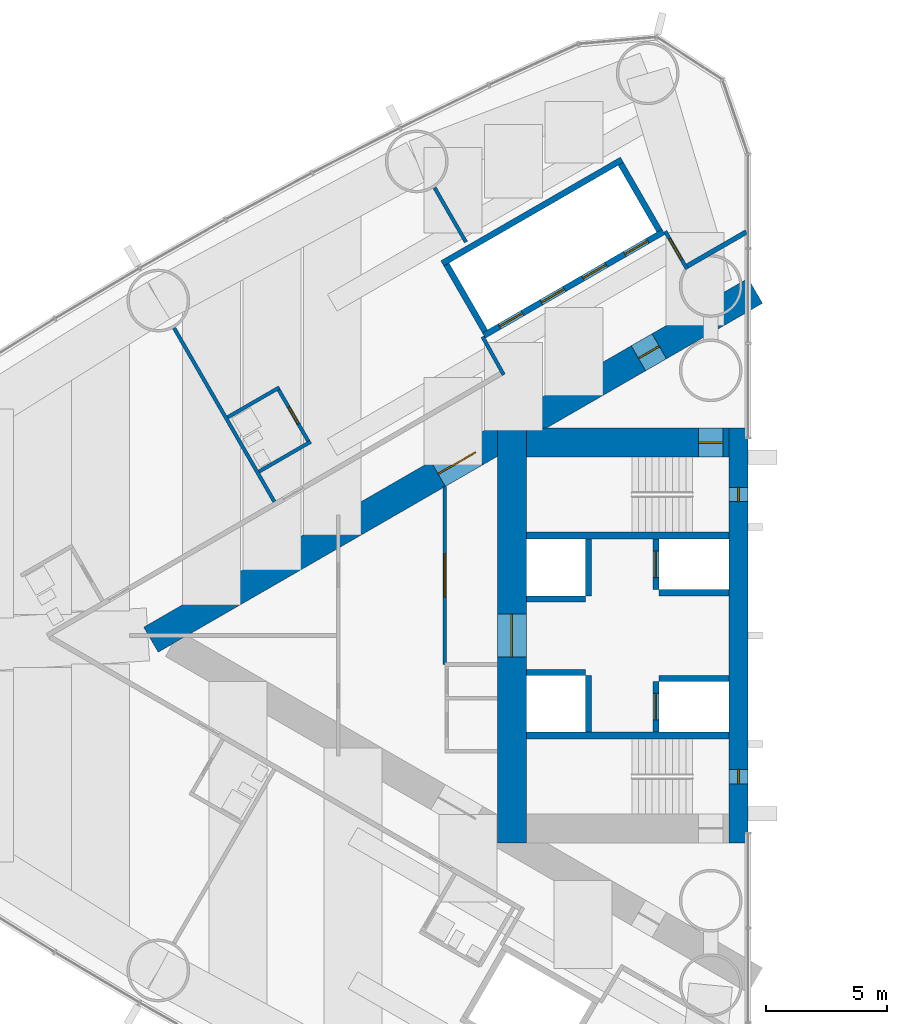
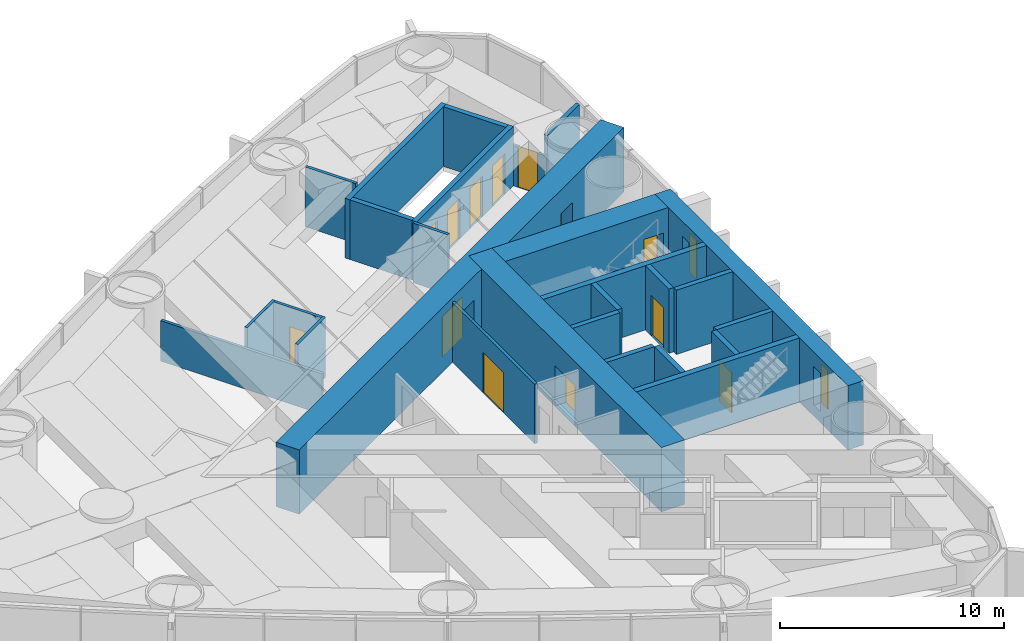
# One storey, part 12 of 18: 27 walls, 13 doors, 2 windows, 15 openings.
"""IFC4 building model written with IfcOpenShell, lengths in metres."""

from ifc_helpers import new_model, si_unit, direction, frame, frame_2d, origin, place, context, subcontext, project, spatial, rectangle, extrude, material, layer, layer_set, type_object, element, fill, save


model = new_model("IFC4")

# Units and contexts
model_context = context("Model", 3, precision=1e-05, world=origin(), true_north=direction((0.0, 1.0)))
body_context = subcontext(model_context, "Body", "Model", "MODEL_VIEW")
ifc_project = project(units=[si_unit("LENGTHUNIT", "METRE"), si_unit("AREAUNIT", "SQUARE_METRE"), si_unit("VOLUMEUNIT", "CUBIC_METRE"), si_unit("PLANEANGLEUNIT", "RADIAN"), si_unit("MASSUNIT", "GRAM", prefix="KILO")], contexts=[model_context])

# Site, building, storey
site_placement = place(None, origin())
site = spatial("IfcSite", under=ifc_project, at=site_placement, CompositionType="ELEMENT")
building_placement = place(site_placement, origin())
building = spatial("IfcBuilding", under=site, at=building_placement, Name="Lancet Gate Hotel", CompositionType="ELEMENT")
storey_placement = place(building_placement, frame((0.0, 0.0, 94.10009765625)))
storey = spatial("IfcBuildingStorey", under=building, at=storey_placement, Name="L24", CompositionType="ELEMENT", Elevation=94.10009765625)

# Wall
ifc_material_1 = material(Name="Moisture resistant board partition")
ifc_layer_1 = layer(ifc_material_1, 0.14990234375)
ifc_layer_set_1 = layer_set([ifc_layer_1], Name="Bathroom wall 150")
wall_type_1 = type_object("IfcWallType", Name="Bathroom wall 150", PredefinedType="PARTITIONING", material=ifc_layer_set_1)
wall_1_placement = place(storey_placement, frame((-46.94287109375, 10.29150390625, 0.0), z_axis=(0.0, 0.0, 1.0), x_axis=(-0.866006523861, -0.500032699561, 0.0)))
element("IfcWall", 1, at=wall_1_placement, inside=storey, type_object=wall_type_1, Name="T1 bathroom wall 150 L24", PredefinedType="PARTITIONING", context=body_context, shape_type="SweptSolid", body=[
    extrude(rectangle(XDim=2.474853515625, YDim=0.14990234375, at=frame_2d((1.2373046875, 0.0))), origin(), (0.0, 0.0, 1.0), 3.25),
])

# Wall, opening, door
wall_2_placement = place(storey_placement, frame((-45.707763671875, 8.00244140625, 0.0), z_axis=(0.0, 0.0, 1.0), x_axis=(-0.500047596559, 0.865997922154, 0.0)))
wall_2 = element("IfcWall", 2, at=wall_2_placement, inside=storey, type_object=wall_type_1, Name="T1 bathroom wall 150 L24", PredefinedType="PARTITIONING", context=body_context, shape_type="SweptSolid", body=[
    extrude(rectangle(XDim=2.599853515625, YDim=0.14990234375, at=frame_2d((1.2998046875, 0.0))), origin(), (0.0, 0.0, 1.0), 3.25),
])
opening_1_placement = place(wall_2_placement, frame((0.89990234375, 0.0, 0.0)))
opening_1 = element("IfcOpeningElement", 3, at=opening_1_placement, cuts=wall_2, Name="Opening 2402-B", PredefinedType="OPENING", context=body_context, shape_type="SweptSolid", body=[
    extrude(rectangle(XDim=0.800048828125, YDim=2.199951171875, at=frame_2d((0.39990234375, 1.10009765625))), frame((0.0, 0.0849609375, 0.0), z_axis=(0.0, -1.0, 0.0), x_axis=(1.0, 0.0, 0.0)), (0.0, 0.0, 1.0), 0.169921875),
])
ifc_material_2 = material(Name="Timber door set", Category="wood")
door_type_1 = type_object("IfcDoorType", Name="Bathroom door 800", OperationType="SINGLE_SWING_RIGHT", PredefinedType="DOOR", material=ifc_material_2)
door_1_placement = place(opening_1_placement, origin())
door_1 = element("IfcDoor", 4, at=door_1_placement, inside=storey, type_object=door_type_1, Name="2402-B", OperationType="SINGLE_SWING_RIGHT", OverallHeight=2.199951171875, OverallWidth=0.800048828125, PredefinedType="DOOR", context=body_context, shape_type="SweptSolid", body=[
    extrude(rectangle(XDim=0.800048828125, YDim=2.199951171875, at=frame_2d((0.39990234375, 1.10009765625))), frame((0.0, 0.02490234375, 0.0), z_axis=(0.0, -1.0, 0.0), x_axis=(1.0, 0.0, 0.0)), (0.0, 0.0, 1.0), 0.050048828125),
])
fill(opening_1, door_1)

# Wall
wall_3_placement = place(storey_placement, frame((-45.642822265625, 8.039794921875, 0.0), z_axis=(0.0, 0.0, 1.0), x_axis=(-0.866006523861, -0.500032699561, 0.0)))
element("IfcWall", 5, at=wall_3_placement, inside=storey, type_object=wall_type_1, Name="T1 bathroom wall 150 L24", PredefinedType="PARTITIONING", context=body_context, shape_type="SweptSolid", body=[
    extrude(rectangle(XDim=2.474853515625, YDim=0.14990234375, at=frame_2d((1.2373046875, 0.0))), origin(), (0.0, 0.0, 1.0), 3.25),
])

# Wall, openings, doors
ifc_material_3 = material(Name="Concrete C70/85", Category="concrete")
ifc_layer_2 = layer(ifc_material_3, 1.199951171875)
ifc_layer_set_2 = layer_set([ifc_layer_2], Name="Buttress wall 1200")
wall_type_2 = type_object("IfcWallType", Name="Buttress wall 1200", PredefinedType="SHEAR", material=ifc_layer_set_2)
wall_4_placement = place(storey_placement, frame((-27.199951171875, 14.300048828125, 0.0), z_axis=(0.0, 0.0, 1.0), x_axis=(-0.866026593062, -0.499997940104, 0.0)))
wall_4 = element("IfcWall", 6, at=wall_4_placement, inside=storey, type_object=wall_type_2, Name="T1 buttress wall S L24", PredefinedType="SHEAR", context=body_context, shape_type="SweptSolid", body=[
    extrude(rectangle(XDim=28.9462890625, YDim=1.199951171875, at=frame_2d((14.47314453125, 0.0))), origin(), (0.0, 0.0, 1.0), 3.5),
])
opening_2_placement = place(wall_4_placement, frame((4.60009765625, 0.0, 0.0)))
opening_2 = element("IfcOpeningElement", 7, at=opening_2_placement, cuts=wall_4, Name="Opening T1-L24-LS", PredefinedType="OPENING", context=body_context, shape_type="SweptSolid", body=[
    extrude(rectangle(XDim=1.0, YDim=2.199951171875, at=frame_2d((0.5, 1.10009765625))), frame((0.0, 0.60986328125, 0.0), z_axis=(0.0, -1.0, 0.0), x_axis=(1.0, 0.0, 0.0)), (0.0, 0.0, 1.0), 1.219970703125),
])
opening_3_placement = place(wall_4_placement, frame((13.39453125, 0.0, 0.0)))
opening_3 = element("IfcOpeningElement", 8, at=opening_3_placement, cuts=wall_4, Name="Opening T1-L24-LHS", PredefinedType="OPENING", context=body_context, shape_type="SweptSolid", body=[
    extrude(rectangle(XDim=1.800048828125, YDim=2.199951171875, at=frame_2d((0.89990234375, 1.10009765625))), frame((0.0, 0.60986328125, 0.0), z_axis=(0.0, -1.0, 0.0), x_axis=(1.0, 0.0, 0.0)), (0.0, 0.0, 1.0), 1.219970703125),
])
ifc_material_4 = material(Name="Timber door set", Category="wood")
door_type_2 = type_object("IfcDoorType", Name="Lobby double door 1800", OperationType="DOUBLE_DOOR_SINGLE_SWING", PredefinedType="DOOR", material=ifc_material_4)
door_2_placement = place(opening_3_placement, origin())
door_2 = element("IfcDoor", 9, at=door_2_placement, inside=storey, type_object=door_type_2, Name="T1-L24-LHS", OperationType="DOUBLE_DOOR_SINGLE_SWING", OverallHeight=2.199951171875, OverallWidth=1.800048828125, PredefinedType="DOOR", context=body_context, shape_type="SweptSolid", body=[
    extrude(rectangle(XDim=1.800048828125, YDim=2.199951171875, at=frame_2d((0.89990234375, 1.10009765625))), frame((0.0, 0.02490234375, 0.0), z_axis=(0.0, -1.0, 0.0), x_axis=(1.0, 0.0, 0.0)), (0.0, 0.0, 1.0), 0.050048828125),
])
fill(opening_3, door_2)
ifc_material_5 = material(Name="Timber door set", Category="wood")
door_type_3 = type_object("IfcDoorType", Name="Stair lobby door 1000", OperationType="SINGLE_SWING_LEFT", PredefinedType="DOOR", material=ifc_material_5)
door_3_placement = place(opening_2_placement, origin())
door_3 = element("IfcDoor", 10, at=door_3_placement, inside=storey, type_object=door_type_3, Name="T1-L24-LS", OperationType="SINGLE_SWING_LEFT", OverallHeight=2.199951171875, OverallWidth=1.0, PredefinedType="DOOR", context=body_context, shape_type="SweptSolid", body=[
    extrude(rectangle(XDim=1.0, YDim=2.199951171875, at=frame_2d((0.5, 1.10009765625))), frame((0.0, 0.02490234375, 0.0), z_axis=(0.0, -1.0, 0.0), x_axis=(1.0, 0.0, 0.0)), (0.0, 0.0, 1.0), 0.050048828125),
])
fill(opening_2, door_3)

# Wall, opening, door
ifc_material_6 = material(Name="Concrete C70/85", Category="concrete")
ifc_layer_3 = layer(ifc_material_6, 1.199951171875)
ifc_layer_set_3 = layer_set([ifc_layer_3], Name="Core wall 1200")
wall_type_3 = type_object("IfcWallType", Name="Core wall 1200", PredefinedType="SHEAR", material=ifc_layer_set_3)
wall_5_placement = place(storey_placement, frame((-37.300048828125, 8.60009765625, 0.0), z_axis=(0.0, 0.0, 1.0), x_axis=(0.0, -1.0, 0.0)))
wall_5 = element("IfcWall", 11, at=wall_5_placement, inside=storey, type_object=wall_type_3, Name="T1 core wall back L24", PredefinedType="SHEAR", context=body_context, shape_type="SweptSolid", body=[
    extrude(rectangle(XDim=17.2001953125, YDim=1.199951171875, at=frame_2d((8.60009765625, 0.0))), origin(), (0.0, 0.0, 1.0), 3.5),
])
opening_4_placement = place(wall_5_placement, frame((7.699951171875, 0.0, 0.0)))
opening_4 = element("IfcOpeningElement", 12, at=opening_4_placement, cuts=wall_5, Name="Opening T1-L24-LL", PredefinedType="OPENING", context=body_context, shape_type="SweptSolid", body=[
    extrude(rectangle(XDim=1.800048828125, YDim=2.199951171875, at=frame_2d((0.89990234375, 1.10009765625))), frame((0.0, 0.60986328125, 0.0), z_axis=(0.0, -1.0, 0.0), x_axis=(1.0, 0.0, 0.0)), (0.0, 0.0, 1.0), 1.219970703125),
])
door_4_placement = place(opening_4_placement, origin())
door_4 = element("IfcDoor", 13, at=door_4_placement, inside=storey, type_object=door_type_2, Name="T1-L24-LL", OperationType="DOUBLE_DOOR_SINGLE_SWING", OverallHeight=2.199951171875, OverallWidth=1.800048828125, PredefinedType="DOOR", context=body_context, shape_type="SweptSolid", body=[
    extrude(rectangle(XDim=1.800048828125, YDim=2.199951171875, at=frame_2d((0.89990234375, 1.10009765625))), frame((0.0, 0.02490234375, 0.0), z_axis=(0.0, -1.0, 0.0), x_axis=(1.0, 0.0, 0.0)), (0.0, 0.0, 1.0), 0.050048828125),
])
fill(opening_4, door_4)

wall_6_placement = place(storey_placement, frame((-28.300048828125, 8.0, 0.0), z_axis=(0.0, 0.0, 1.0), x_axis=(-1.0, 0.0, 0.0)))
wall_6 = element("IfcWall", 14, at=wall_6_placement, inside=storey, type_object=wall_type_3, Name="T1 core wall side-S L24", PredefinedType="SHEAR", context=body_context, shape_type="SweptSolid", body=[
    extrude(rectangle(XDim=8.39990234375, YDim=1.199951171875, at=frame_2d((4.199951171875, 0.0))), origin(), (0.0, 0.0, 1.0), 3.5),
])
opening_5_placement = place(wall_6_placement, frame((0.25, 0.0, 0.0)))
opening_5 = element("IfcOpeningElement", 15, at=opening_5_placement, cuts=wall_6, Name="Opening T1-L24-ST1", PredefinedType="OPENING", context=body_context, shape_type="SweptSolid", body=[
    extrude(rectangle(XDim=1.0, YDim=2.199951171875, at=frame_2d((0.5, 1.10009765625))), frame((0.0, 0.60986328125, 0.0), z_axis=(0.0, -1.0, 0.0), x_axis=(1.0, 0.0, 0.0)), (0.0, 0.0, 1.0), 1.219970703125),
])
ifc_material_7 = material(Name="Timber door set", Category="wood")
door_type_4 = type_object("IfcDoorType", Name="Stair door 1000", OperationType="SINGLE_SWING_RIGHT", PredefinedType="DOOR", material=ifc_material_7)
door_5_placement = place(opening_5_placement, origin())
door_5 = element("IfcDoor", 16, at=door_5_placement, inside=storey, type_object=door_type_4, Name="T1-L24-ST1", OperationType="SINGLE_SWING_RIGHT", OverallHeight=2.199951171875, OverallWidth=1.0, PredefinedType="DOOR", context=body_context, shape_type="SweptSolid", body=[
    extrude(rectangle(XDim=1.0, YDim=2.199951171875, at=frame_2d((0.5, 1.10009765625))), frame((0.0, 0.02490234375, 0.0), z_axis=(0.0, -1.0, 0.0), x_axis=(1.0, 0.0, 0.0)), (0.0, 0.0, 1.0), 0.050048828125),
])
fill(opening_5, door_5)

# Wall, openings, windows
ifc_material_8 = material(Name="Concrete C70/85", Category="concrete")
ifc_layer_4 = layer(ifc_material_8, 0.800048828125)
ifc_layer_set_4 = layer_set([ifc_layer_4], Name="Core wall 800")
wall_type_4 = type_object("IfcWallType", Name="Core wall 800", PredefinedType="SHEAR", material=ifc_layer_set_4)
wall_7_placement = place(storey_placement, frame((-27.89990234375, 8.60009765625, 0.0), z_axis=(0.0, 0.0, 1.0), x_axis=(0.0, -1.0, 0.0)))
wall_7 = element("IfcWall", 17, at=wall_7_placement, inside=storey, type_object=wall_type_4, Name="T1 core wall front L24", PredefinedType="SHEAR", context=body_context, shape_type="SweptSolid", body=[
    extrude(rectangle(XDim=17.2001953125, YDim=0.800048828125, at=frame_2d((8.60009765625, 0.0))), origin(), (0.0, 0.0, 1.0), 3.5),
])
opening_6_placement = place(wall_7_placement, frame((2.449951171875, 0.0, 0.60009765625)))
opening_6 = element("IfcOpeningElement", 18, at=opening_6_placement, cuts=wall_7, Name="Opening LW1", PredefinedType="OPENING", context=body_context, shape_type="SweptSolid", body=[
    extrude(rectangle(XDim=0.60009765625, YDim=2.10009765625, at=frame_2d((0.300048828125, 1.050048828125))), frame((0.0, 0.409912109375, 0.0), z_axis=(0.0, -1.0, 0.0), x_axis=(1.0, 0.0, 0.0)), (0.0, 0.0, 1.0), 0.820068359375),
])
opening_7_placement = place(wall_7_placement, frame((14.14990234375, 0.0, 0.60009765625)))
opening_7 = element("IfcOpeningElement", 19, at=opening_7_placement, cuts=wall_7, Name="Opening LW1", PredefinedType="OPENING", context=body_context, shape_type="SweptSolid", body=[
    extrude(rectangle(XDim=0.60009765625, YDim=2.10009765625, at=frame_2d((0.300048828125, 1.050048828125))), frame((0.0, 0.409912109375, 0.0), z_axis=(0.0, -1.0, 0.0), x_axis=(1.0, 0.0, 0.0)), (0.0, 0.0, 1.0), 0.820068359375),
])
ifc_material_9 = material(Name="Fire-resisting glazed steel window", Category="steel")
window_type = type_object("IfcWindowType", Name="Lancet window 600x2100", PartitioningType="SINGLE_PANEL", PredefinedType="WINDOW", material=ifc_material_9)
window_1_placement = place(opening_6_placement, origin())
window_1 = element("IfcWindow", 20, at=window_1_placement, inside=storey, type_object=window_type, Name="T1 stair window S L24", OverallHeight=2.10009765625, OverallWidth=0.60009765625, PartitioningType="SINGLE_PANEL", PredefinedType="WINDOW", context=body_context, shape_type="SweptSolid", body=[
    extrude(rectangle(XDim=0.60009765625, YDim=2.10009765625, at=frame_2d((0.300048828125, 1.050048828125))), frame((0.0, 0.030029296875, 0.0), z_axis=(0.0, -1.0, 0.0), x_axis=(1.0, 0.0, 0.0)), (0.0, 0.0, 1.0), 0.06005859375),
])
fill(opening_6, window_1)
window_2_placement = place(opening_7_placement, origin())
window_2 = element("IfcWindow", 21, at=window_2_placement, inside=storey, type_object=window_type, Name="T1 stair window N L24", OverallHeight=2.10009765625, OverallWidth=0.60009765625, PartitioningType="SINGLE_PANEL", PredefinedType="WINDOW", context=body_context, shape_type="SweptSolid", body=[
    extrude(rectangle(XDim=0.60009765625, YDim=2.10009765625, at=frame_2d((0.300048828125, 1.050048828125))), frame((0.0, 0.030029296875, 0.0), z_axis=(0.0, -1.0, 0.0), x_axis=(1.0, 0.0, 0.0)), (0.0, 0.0, 1.0), 0.06005859375),
])
fill(opening_7, window_2)

# Wall
ifc_material_10 = material(Name="Gypsum board partition")
ifc_layer_5 = layer(ifc_material_10, 0.199951171875)
ifc_layer_set_5 = layer_set([ifc_layer_5], Name="Corridor wall 200")
wall_type_5 = type_object("IfcWallType", Name="Corridor wall 200", PredefinedType="PARTITIONING", material=ifc_layer_set_5)
wall_8_placement = place(storey_placement, frame((-27.572021484375, 16.740966796875, 0.0), z_axis=(0.0, 0.0, 1.0), x_axis=(-0.866034618596, -0.499984039138, 0.0)))
element("IfcWall", 22, at=wall_8_placement, inside=storey, type_object=wall_type_5, Name="T1 corridor wall 200 L24", PredefinedType="PARTITIONING", context=body_context, shape_type="SweptSolid", body=[
    extrude(rectangle(XDim=2.8544921875, YDim=0.199951171875, at=frame_2d((1.42724609375, 0.0))), origin(), (0.0, 0.0, 1.0), 3.25),
])

# Wall, openings, doors
ifc_material_11 = material(Name="Gypsum board partition")
ifc_layer_6 = layer(ifc_material_11, 0.25)
ifc_layer_set_6 = layer_set([ifc_layer_6], Name="Lift shaft partition 250")
wall_type_6 = type_object("IfcWallType", Name="Lift shaft partition 250", PredefinedType="PARTITIONING", material=ifc_layer_set_6)
wall_9_placement = place(storey_placement, frame((-31.010498046875, 16.747314453125, 0.0), z_axis=(0.0, 0.0, 1.0), x_axis=(-0.866028165386, -0.499995216735, 0.0)))
wall_9 = element("IfcWall", 23, at=wall_9_placement, inside=storey, type_object=wall_type_6, Name="T1 lift shaft wall LR L24", PredefinedType="PARTITIONING", context=body_context, shape_type="SweptSolid", body=[
    extrude(rectangle(XDim=8.60009765625, YDim=0.25, at=frame_2d((4.300048828125, 0.0))), origin(), (0.0, 0.0, 1.0), 3.25),
])
opening_8_placement = place(wall_9_placement, frame((0.75, 0.0, 0.0)))
opening_8 = element("IfcOpeningElement", 24, at=opening_8_placement, cuts=wall_9, Name="Opening T1-LR1-L24", PredefinedType="OPENING", context=body_context, shape_type="SweptSolid", body=[
    extrude(rectangle(XDim=1.10009765625, YDim=2.199951171875, at=frame_2d((0.550048828125, 1.10009765625))), frame((0.0, 0.135009765625, 0.0), z_axis=(0.0, -1.0, 0.0), x_axis=(1.0, 0.0, 0.0)), (0.0, 0.0, 1.0), 0.27001953125),
])
opening_9_placement = place(wall_9_placement, frame((2.75, 0.0, 0.0)))
opening_9 = element("IfcOpeningElement", 25, at=opening_9_placement, cuts=wall_9, Name="Opening T1-LR2-L24", PredefinedType="OPENING", context=body_context, shape_type="SweptSolid", body=[
    extrude(rectangle(XDim=1.10009765625, YDim=2.199951171875, at=frame_2d((0.550048828125, 1.10009765625))), frame((0.0, 0.135009765625, 0.0), z_axis=(0.0, -1.0, 0.0), x_axis=(1.0, 0.0, 0.0)), (0.0, 0.0, 1.0), 0.27001953125),
])
opening_10_placement = place(wall_9_placement, frame((4.75, 0.0, 0.0)))
opening_10 = element("IfcOpeningElement", 26, at=opening_10_placement, cuts=wall_9, Name="Opening T1-LR3-L24", PredefinedType="OPENING", context=body_context, shape_type="SweptSolid", body=[
    extrude(rectangle(XDim=1.10009765625, YDim=2.199951171875, at=frame_2d((0.550048828125, 1.10009765625))), frame((0.0, 0.135009765625, 0.0), z_axis=(0.0, -1.0, 0.0), x_axis=(1.0, 0.0, 0.0)), (0.0, 0.0, 1.0), 0.27001953125),
])
opening_11_placement = place(wall_9_placement, frame((6.75, 0.0, 0.0)))
opening_11 = element("IfcOpeningElement", 27, at=opening_11_placement, cuts=wall_9, Name="Opening T1-LR4-L24", PredefinedType="OPENING", context=body_context, shape_type="SweptSolid", body=[
    extrude(rectangle(XDim=1.10009765625, YDim=2.199951171875, at=frame_2d((0.550048828125, 1.10009765625))), frame((0.0, 0.135009765625, 0.0), z_axis=(0.0, -1.0, 0.0), x_axis=(1.0, 0.0, 0.0)), (0.0, 0.0, 1.0), 0.27001953125),
])
ifc_material_12 = material(Name="Steel door set", Category="steel")
door_type_5 = type_object("IfcDoorType", Name="Lift landing door 1100", OperationType="DOUBLE_DOOR_SLIDING", PredefinedType="USERDEFINED", material=ifc_material_12)
door_6_placement = place(opening_8_placement, origin())
door_6 = element("IfcDoor", 28, at=door_6_placement, inside=storey, type_object=door_type_5, Name="T1-LR1-L24", ObjectType="LIFT LANDING DOOR", OperationType="DOUBLE_DOOR_SLIDING", OverallHeight=2.199951171875, OverallWidth=1.10009765625, PredefinedType="USERDEFINED", context=body_context, shape_type="SweptSolid", body=[
    extrude(rectangle(XDim=1.10009765625, YDim=2.199951171875, at=frame_2d((0.550048828125, 1.10009765625))), frame((0.0, 0.02490234375, 0.0), z_axis=(0.0, -1.0, 0.0), x_axis=(1.0, 0.0, 0.0)), (0.0, 0.0, 1.0), 0.050048828125),
])
fill(opening_8, door_6)
door_7_placement = place(opening_9_placement, origin())
door_7 = element("IfcDoor", 29, at=door_7_placement, inside=storey, type_object=door_type_5, Name="T1-LR2-L24", ObjectType="LIFT LANDING DOOR", OperationType="DOUBLE_DOOR_SLIDING", OverallHeight=2.199951171875, OverallWidth=1.10009765625, PredefinedType="USERDEFINED", context=body_context, shape_type="SweptSolid", body=[
    extrude(rectangle(XDim=1.10009765625, YDim=2.199951171875, at=frame_2d((0.550048828125, 1.10009765625))), frame((0.0, 0.02490234375, 0.0), z_axis=(0.0, -1.0, 0.0), x_axis=(1.0, 0.0, 0.0)), (0.0, 0.0, 1.0), 0.050048828125),
])
fill(opening_9, door_7)
door_8_placement = place(opening_10_placement, origin())
door_8 = element("IfcDoor", 30, at=door_8_placement, inside=storey, type_object=door_type_5, Name="T1-LR3-L24", ObjectType="LIFT LANDING DOOR", OperationType="DOUBLE_DOOR_SLIDING", OverallHeight=2.199951171875, OverallWidth=1.10009765625, PredefinedType="USERDEFINED", context=body_context, shape_type="SweptSolid", body=[
    extrude(rectangle(XDim=1.10009765625, YDim=2.199951171875, at=frame_2d((0.550048828125, 1.10009765625))), frame((0.0, 0.02490234375, 0.0), z_axis=(0.0, -1.0, 0.0), x_axis=(1.0, 0.0, 0.0)), (0.0, 0.0, 1.0), 0.050048828125),
])
fill(opening_10, door_8)
door_9_placement = place(opening_11_placement, origin())
door_9 = element("IfcDoor", 31, at=door_9_placement, inside=storey, type_object=door_type_5, Name="T1-LR4-L24", ObjectType="LIFT LANDING DOOR", OperationType="DOUBLE_DOOR_SLIDING", OverallHeight=2.199951171875, OverallWidth=1.10009765625, PredefinedType="USERDEFINED", context=body_context, shape_type="SweptSolid", body=[
    extrude(rectangle(XDim=1.10009765625, YDim=2.199951171875, at=frame_2d((0.550048828125, 1.10009765625))), frame((0.0, 0.02490234375, 0.0), z_axis=(0.0, -1.0, 0.0), x_axis=(1.0, 0.0, 0.0)), (0.0, 0.0, 1.0), 0.050048828125),
])
fill(opening_11, door_9)

# Walls
wall_10_placement = place(storey_placement, frame((-32.735595703125, 19.73583984375, 0.0), z_axis=(0.0, 0.0, 1.0), x_axis=(-0.866028165386, -0.499995216735, 0.0)))
element("IfcWall", 32, at=wall_10_placement, inside=storey, type_object=wall_type_6, Name="T1 lift shaft wall LR L24", PredefinedType="PARTITIONING", context=body_context, shape_type="SweptSolid", body=[
    extrude(rectangle(XDim=8.60009765625, YDim=0.25, at=frame_2d((4.300048828125, 0.0))), origin(), (0.0, 0.0, 1.0), 3.25),
])
wall_11_placement = place(storey_placement, frame((-31.18115234375, 16.79296875, 0.0), z_axis=(0.0, 0.0, 1.0), x_axis=(-0.499929347863, 0.866066190972, 0.0)))
element("IfcWall", 33, at=wall_11_placement, inside=storey, type_object=wall_type_6, Name="T1 lift shaft wall LR L24", PredefinedType="PARTITIONING", context=body_context, shape_type="SweptSolid", body=[
    extrude(rectangle(XDim=3.20068359375, YDim=0.25, at=frame_2d((1.600341796875, 0.0))), origin(), (0.0, 0.0, 1.0), 3.25),
])
wall_12_placement = place(storey_placement, frame((-38.412841796875, 12.617919921875, 0.0), z_axis=(0.0, 0.0, 1.0), x_axis=(-0.499872130319, 0.866099216793, 0.0)))
element("IfcWall", 34, at=wall_12_placement, inside=storey, type_object=wall_type_6, Name="T1 lift shaft wall LR L24", PredefinedType="PARTITIONING", context=body_context, shape_type="SweptSolid", body=[
    extrude(rectangle(XDim=3.200439453125, YDim=0.25, at=frame_2d((1.60009765625, 0.0))), origin(), (0.0, 0.0, 1.0), 3.25),
])

# Wall, opening, door
ifc_material_13 = material(Name="Concrete C50/60", Category="concrete")
ifc_layer_7 = layer(ifc_material_13, 0.25)
ifc_layer_set_7 = layer_set([ifc_layer_7], Name="Lift shaft wall 250")
wall_type_7 = type_object("IfcWallType", Name="Lift shaft wall 250", PredefinedType="SHEAR", material=ifc_layer_set_7)
wall_13_placement = place(storey_placement, frame((-31.324951171875, 4.0, 0.0), z_axis=(0.0, 0.0, 1.0), x_axis=(0.0, -1.0, 0.0)))
wall_13 = element("IfcWall", 35, at=wall_13_placement, inside=storey, type_object=wall_type_7, Name="T1 core wall row1-S L24", PredefinedType="SHEAR", context=body_context, shape_type="SweptSolid", body=[
    extrude(rectangle(XDim=2.10009765625, YDim=0.25, at=frame_2d((1.050048828125, 0.0))), origin(), (0.0, 0.0, 1.0), 3.5),
])
opening_12_placement = place(wall_13_placement, frame((0.5, 0.0, 0.0)))
opening_12 = element("IfcOpeningElement", 36, at=opening_12_placement, cuts=wall_13, Name="Opening T1-SL1-L24", PredefinedType="OPENING", context=body_context, shape_type="SweptSolid", body=[
    extrude(rectangle(XDim=1.10009765625, YDim=2.199951171875, at=frame_2d((0.550048828125, 1.10009765625))), frame((0.0, 0.135009765625, 0.0), z_axis=(0.0, -1.0, 0.0), x_axis=(1.0, 0.0, 0.0)), (0.0, 0.0, 1.0), 0.27001953125),
])
ifc_material_14 = material(Name="Timber door set", Category="wood")
door_type_6 = type_object("IfcDoorType", Name="Service lift landing door 1100", OperationType="SLIDING_TO_LEFT", PredefinedType="USERDEFINED", material=ifc_material_14)
door_10_placement = place(opening_12_placement, origin())
door_10 = element("IfcDoor", 37, at=door_10_placement, inside=storey, type_object=door_type_6, Name="T1-SL1-L24", ObjectType="LIFT LANDING DOOR", OperationType="SLIDING_TO_LEFT", OverallHeight=2.199951171875, OverallWidth=1.10009765625, PredefinedType="USERDEFINED", context=body_context, shape_type="SweptSolid", body=[
    extrude(rectangle(XDim=1.10009765625, YDim=2.199951171875, at=frame_2d((0.550048828125, 1.10009765625))), frame((0.0, 0.02490234375, 0.0), z_axis=(0.0, -1.0, 0.0), x_axis=(1.0, 0.0, 0.0)), (0.0, 0.0, 1.0), 0.050048828125),
])
fill(opening_12, door_10)

# Walls
wall_14_placement = place(storey_placement, frame((-34.125, 4.0, 0.0), z_axis=(0.0, 0.0, 1.0), x_axis=(0.0, -1.0, 0.0)))
element("IfcWall", 38, at=wall_14_placement, inside=storey, type_object=wall_type_7, Name="T1 core wall row2-S L24", PredefinedType="SHEAR", context=body_context, shape_type="SweptSolid", body=[
    extrude(rectangle(XDim=2.35009765625, YDim=0.25, at=frame_2d((1.175048828125, 0.0))), origin(), (0.0, 0.0, 1.0), 3.5),
])
wall_15_placement = place(storey_placement, frame((-28.300048828125, 1.77490234375, 0.0), z_axis=(0.0, 0.0, 1.0), x_axis=(-1.0, 0.0, 0.0)))
element("IfcWall", 39, at=wall_15_placement, inside=storey, type_object=wall_type_7, Name="T1 core wall pass1-S L24", PredefinedType="SHEAR", context=body_context, shape_type="SweptSolid", body=[
    extrude(rectangle(XDim=2.89990234375, YDim=0.25, at=frame_2d((1.449951171875, 0.0))), origin(), (0.0, 0.0, 1.0), 3.5),
])
wall_16_placement = place(storey_placement, frame((-34.25, 1.52490234375, 0.0), z_axis=(0.0, 0.0, 1.0), x_axis=(-1.0, 0.0, 0.0)))
element("IfcWall", 40, at=wall_16_placement, inside=storey, type_object=wall_type_7, Name="T1 core wall pass2-S L24", PredefinedType="SHEAR", context=body_context, shape_type="SweptSolid", body=[
    extrude(rectangle(XDim=2.449951171875, YDim=0.25, at=frame_2d((1.22509765625, 0.0))), origin(), (0.0, 0.0, 1.0), 3.5),
])

# Wall, opening, door
wall_17_placement = place(storey_placement, frame((-31.324951171875, -1.89990234375, 0.0), z_axis=(0.0, 0.0, 1.0), x_axis=(0.0, -1.0, 0.0)))
wall_17 = element("IfcWall", 41, at=wall_17_placement, inside=storey, type_object=wall_type_7, Name="T1 core wall row1-N L24", PredefinedType="SHEAR", context=body_context, shape_type="SweptSolid", body=[
    extrude(rectangle(XDim=2.10009765625, YDim=0.25, at=frame_2d((1.050048828125, 0.0))), origin(), (0.0, 0.0, 1.0), 3.5),
])
opening_13_placement = place(wall_17_placement, frame((0.5, 0.0, 0.0)))
opening_13 = element("IfcOpeningElement", 42, at=opening_13_placement, cuts=wall_17, Name="Opening T1-FL2-L24", PredefinedType="OPENING", context=body_context, shape_type="SweptSolid", body=[
    extrude(rectangle(XDim=1.10009765625, YDim=2.199951171875, at=frame_2d((0.550048828125, 1.10009765625))), frame((0.0, 0.135009765625, 0.0), z_axis=(0.0, -1.0, 0.0), x_axis=(1.0, 0.0, 0.0)), (0.0, 0.0, 1.0), 0.27001953125),
])
ifc_material_15 = material(Name="Steel door set", Category="steel")
door_type_7 = type_object("IfcDoorType", Name="Firefighting lift landing door 1100", OperationType="SLIDING_TO_LEFT", PredefinedType="USERDEFINED", material=ifc_material_15)
door_11_placement = place(opening_13_placement, origin())
door_11 = element("IfcDoor", 43, at=door_11_placement, inside=storey, type_object=door_type_7, Name="T1-FL2-L24", ObjectType="LIFT LANDING DOOR", OperationType="SLIDING_TO_LEFT", OverallHeight=2.199951171875, OverallWidth=1.10009765625, PredefinedType="USERDEFINED", context=body_context, shape_type="SweptSolid", body=[
    extrude(rectangle(XDim=1.10009765625, YDim=2.199951171875, at=frame_2d((0.550048828125, 1.10009765625))), frame((0.0, 0.02490234375, 0.0), z_axis=(0.0, -1.0, 0.0), x_axis=(1.0, 0.0, 0.0)), (0.0, 0.0, 1.0), 0.050048828125),
])
fill(opening_13, door_11)

# Walls
wall_18_placement = place(storey_placement, frame((-34.125, -1.64990234375, 0.0), z_axis=(0.0, 0.0, 1.0), x_axis=(0.0, -1.0, 0.0)))
element("IfcWall", 44, at=wall_18_placement, inside=storey, type_object=wall_type_7, Name="T1 core wall row2-N L24", PredefinedType="SHEAR", context=body_context, shape_type="SweptSolid", body=[
    extrude(rectangle(XDim=2.35009765625, YDim=0.25, at=frame_2d((1.175048828125, 0.0))), origin(), (0.0, 0.0, 1.0), 3.5),
])
wall_19_placement = place(storey_placement, frame((-28.300048828125, -1.77490234375, 0.0), z_axis=(0.0, 0.0, 1.0), x_axis=(-1.0, 0.0, 0.0)))
element("IfcWall", 45, at=wall_19_placement, inside=storey, type_object=wall_type_7, Name="T1 core wall pass1-N L24", PredefinedType="SHEAR", context=body_context, shape_type="SweptSolid", body=[
    extrude(rectangle(XDim=2.89990234375, YDim=0.25, at=frame_2d((1.449951171875, 0.0))), origin(), (0.0, 0.0, 1.0), 3.5),
])
wall_20_placement = place(storey_placement, frame((-34.25, -1.52490234375, 0.0), z_axis=(0.0, 0.0, 1.0), x_axis=(-1.0, 0.0, 0.0)))
element("IfcWall", 46, at=wall_20_placement, inside=storey, type_object=wall_type_7, Name="T1 core wall pass2-N L24", PredefinedType="SHEAR", context=body_context, shape_type="SweptSolid", body=[
    extrude(rectangle(XDim=2.449951171875, YDim=0.25, at=frame_2d((1.22509765625, 0.0))), origin(), (0.0, 0.0, 1.0), 3.5),
])
ifc_material_16 = material(Name="Gypsum board partition")
ifc_layer_8 = layer(ifc_material_16, 0.14990234375)
ifc_layer_set_8 = layer_set([ifc_layer_8], Name="Party wall 150")
wall_type_8 = type_object("IfcWallType", Name="Party wall 150", PredefinedType="PARTITIONING", material=ifc_layer_set_8)
wall_21_placement = place(storey_placement, frame((-47.151123046875, 5.552490234375, 0.0), z_axis=(0.0, 0.0, 1.0), x_axis=(-0.500003012045, 0.866023664773, 0.0)))
element("IfcWall", 47, at=wall_21_placement, inside=storey, type_object=wall_type_8, Name="T1 party wall 150 L24", PredefinedType="PARTITIONING", context=body_context, shape_type="SweptSolid", body=[
    extrude(rectangle(XDim=8.31103515625, YDim=0.14990234375, at=frame_2d((4.155517578125, 0.0))), origin(), (0.0, 0.0, 1.0), 2.199951171875),
])
wall_22_placement = place(storey_placement, frame((-39.202392578125, 16.31982421875, 0.0), z_axis=(0.0, 0.0, 1.0), x_axis=(-0.499947391036, 0.866055775454, 0.0)))
element("IfcWall", 48, at=wall_22_placement, inside=storey, type_object=wall_type_8, Name="T1 party wall 150 L24", PredefinedType="PARTITIONING", context=body_context, shape_type="SweptSolid", body=[
    extrude(rectangle(XDim=2.599365234375, YDim=0.14990234375, at=frame_2d((1.2998046875, 0.0))), origin(), (0.0, 0.0, 1.0), 3.25),
])
ifc_material_17 = material(Name="Gypsum board partition")
ifc_layer_9 = layer(ifc_material_17, 0.14990234375)
ifc_layer_set_9 = layer_set([ifc_layer_9], Name="Service room wall 150")
wall_type_9 = type_object("IfcWallType", Name="Service room wall 150", PredefinedType="PARTITIONING", material=ifc_layer_set_9)
wall_23_placement = place(storey_placement, frame((-38.513427734375, 12.392333984375, 0.0), z_axis=(0.0, 0.0, 1.0), x_axis=(0.485585508183, -0.874189175317, 0.0)))
element("IfcWall", 49, at=wall_23_placement, inside=storey, type_object=wall_type_9, Name="T1 service room wall 150 L24", PredefinedType="PARTITIONING", context=body_context, shape_type="SweptSolid", body=[
    extrude(rectangle(XDim=1.804931640625, YDim=0.14990234375, at=frame_2d((0.90234375, 0.0))), origin(), (0.0, 0.0, 1.0), 3.25),
])

# Wall, opening, door
wall_24_placement = place(storey_placement, frame((-30.033203125, 15.20458984375, 0.0), z_axis=(0.0, 0.0, 1.0), x_axis=(-0.499980071345, 0.866036909293, 0.0)))
wall_24 = element("IfcWall", 50, at=wall_24_placement, inside=storey, type_object=wall_type_9, Name="T1 service room wall 150 L24", PredefinedType="PARTITIONING", context=body_context, shape_type="SweptSolid", body=[
    extrude(rectangle(XDim=1.8046875, YDim=0.14990234375, at=frame_2d((0.90234375, 0.0))), origin(), (0.0, 0.0, 1.0), 2.199951171875),
])
opening_14_placement = place(wall_24_placement, frame((0.451904296875, 0.0, 0.0)))
opening_14 = element("IfcOpeningElement", 51, at=opening_14_placement, cuts=wall_24, Name="Opening T1-L24-LO1", PredefinedType="OPENING", context=body_context, shape_type="SweptSolid", body=[
    extrude(rectangle(XDim=1.0, YDim=2.199951171875, at=frame_2d((0.5, 1.10009765625))), frame((0.0, 0.0849609375, 0.0), z_axis=(0.0, -1.0, 0.0), x_axis=(1.0, 0.0, 0.0)), (0.0, 0.0, 1.0), 0.169921875),
])
ifc_material_18 = material(Name="Timber door set", Category="wood")
door_type_8 = type_object("IfcDoorType", Name="Service door 1000", OperationType="SINGLE_SWING_LEFT", PredefinedType="DOOR", material=ifc_material_18)
door_12_placement = place(opening_14_placement, origin())
door_12 = element("IfcDoor", 52, at=door_12_placement, inside=storey, type_object=door_type_8, Name="T1-L24-LO1", OperationType="SINGLE_SWING_LEFT", OverallHeight=2.199951171875, OverallWidth=1.0, PredefinedType="DOOR", context=body_context, shape_type="SweptSolid", body=[
    extrude(rectangle(XDim=1.0, YDim=2.199951171875, at=frame_2d((0.5, 1.10009765625))), frame((0.0, 0.02490234375, 0.0), z_axis=(0.0, -1.0, 0.0), x_axis=(1.0, 0.0, 0.0)), (0.0, 0.0, 1.0), 0.050048828125),
])
fill(opening_14, door_12)

wall_25_placement = place(storey_placement, frame((-40.074951171875, 6.173828125, 0.0), z_axis=(0.0, 0.0, 1.0), x_axis=(0.0, -1.0, 0.0)))
wall_25 = element("IfcWall", 53, at=wall_25_placement, inside=storey, type_object=wall_type_9, Name="T1 service room wall 150 L24", PredefinedType="PARTITIONING", context=body_context, shape_type="SweptSolid", body=[
    extrude(rectangle(XDim=7.373779296875, YDim=0.14990234375, at=frame_2d((3.68701171875, 0.0))), origin(), (0.0, 0.0, 1.0), 3.25),
])
opening_15_placement = place(wall_25_placement, frame((2.786865234375, 0.0, 0.0)))
opening_15 = element("IfcOpeningElement", 54, at=opening_15_placement, cuts=wall_25, Name="Opening T1-L24-LH", PredefinedType="OPENING", context=body_context, shape_type="SweptSolid", body=[
    extrude(rectangle(XDim=1.800048828125, YDim=2.199951171875, at=frame_2d((0.89990234375, 1.10009765625))), frame((0.0, 0.0849609375, 0.0), z_axis=(0.0, -1.0, 0.0), x_axis=(1.0, 0.0, 0.0)), (0.0, 0.0, 1.0), 0.169921875),
])
door_13_placement = place(opening_15_placement, origin())
door_13 = element("IfcDoor", 55, at=door_13_placement, inside=storey, type_object=door_type_2, Name="T1-L24-LH", OperationType="DOUBLE_DOOR_SINGLE_SWING", OverallHeight=2.199951171875, OverallWidth=1.800048828125, PredefinedType="DOOR", context=body_context, shape_type="SweptSolid", body=[
    extrude(rectangle(XDim=1.800048828125, YDim=2.199951171875, at=frame_2d((0.89990234375, 1.10009765625))), frame((0.0, 0.02490234375, 0.0), z_axis=(0.0, -1.0, 0.0), x_axis=(1.0, 0.0, 0.0)), (0.0, 0.0, 1.0), 0.050048828125),
])
fill(opening_15, door_13)

# Walls
ifc_material_19 = material(Name="Concrete C50/60", Category="concrete")
ifc_layer_10 = layer(ifc_material_19, 0.300048828125)
ifc_layer_set_10 = layer_set([ifc_layer_10], Name="Stair enclosure wall 300")
wall_type_10 = type_object("IfcWallType", Name="Stair enclosure wall 300", PredefinedType="SHEAR", material=ifc_layer_set_10)
for number, where, z_axis, x_axis, name in (
    (56, (-28.300048828125, 4.14990234375, 0.0), (0.0, 0.0, 1.0), (-1.0, 0.0, 0.0), "T1 core wall stair-S L24"),
    (57, (-28.300048828125, -4.14990234375, 0.0), (0.0, 0.0, 1.0), (-1.0, 0.0, 0.0), "T1 core wall stair-N L24"),
):
    element("IfcWall", number, at=place(storey_placement, frame(where, z_axis=z_axis, x_axis=x_axis)), inside=storey, type_object=wall_type_10, Name=name, PredefinedType="SHEAR", context=body_context, shape_type="SweptSolid", body=[
        extrude(rectangle(XDim=8.39990234375, YDim=0.300048828125, at=frame_2d((4.199951171875, 0.0))), origin(), (0.0, 0.0, 1.0), 3.5),
    ])

save(model, "model.ifc")
